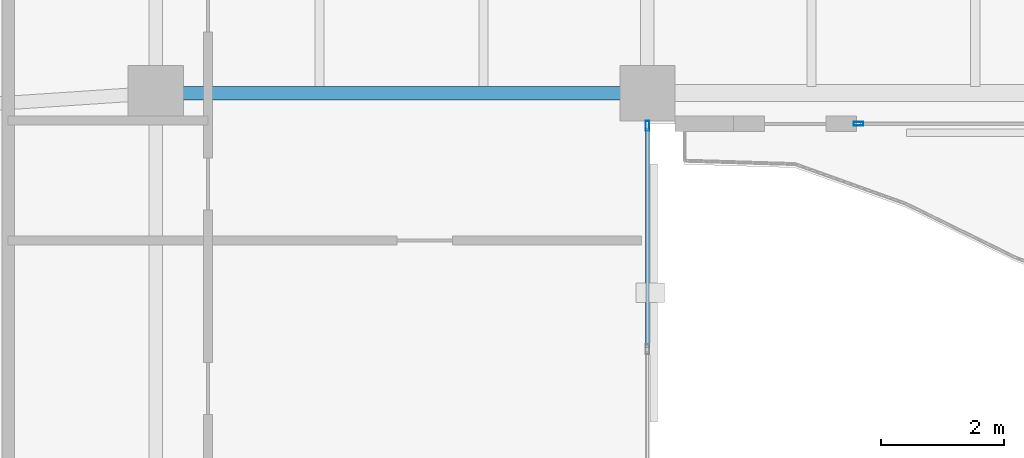
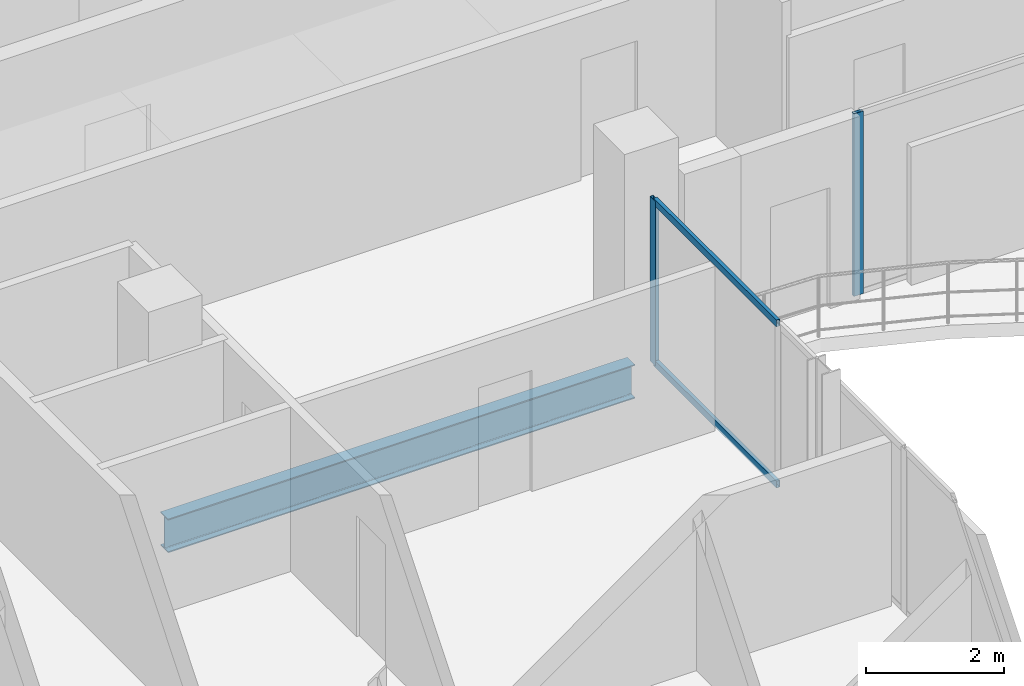
# One storey, part 8 of 22: 4 members, 1 beam, 2 elements without a shape of their own.
"""IFC4 building model written with IfcOpenShell, lengths in metres."""

import ifcopenshell
import ifcopenshell.guid

model = None  # the IFC model being written
_history = None  # IfcOwnerHistory: only IFC2X3 demands one
_inside = {}  # id of a spatial element -> (the spatial element, [elements in it])
_under = {}  # id of a project, library or spatial element -> (it, [spatial elements below it])
_declared = {}  # id of a project -> (the project, [libraries it declares])
_typed = {}  # id of a type object -> (the type object, [elements of that type])
_made_of = {}  # id of a material, layer set ... -> (it, [elements and type objects made of it])


def new_model(schema):
    """Start an empty IFC model of exactly this schema.

    Asked for "IFC4X3", IfcOpenShell would pick the latest addendum, in which some entities
    have other attributes; the version numbers below select the first issue.
    IFC2X3 requires an IfcOwnerHistory on every rooted entity: one is made here for all.
    """
    global model, _history
    if schema == "IFC4X3":
        model = ifcopenshell.file(schema_version=(4, 3, 0, 0))
    else:
        model = ifcopenshell.file(schema=schema)
    _inside.clear()
    _under.clear()
    _declared.clear()
    _typed.clear()
    _made_of.clear()
    _history = None
    if model.schema == "IFC2X3":
        org = make("IfcOrganization", Name="unknown")
        user = make(
            "IfcPersonAndOrganization",
            ThePerson=make("IfcPerson", FamilyName="unknown"),
            TheOrganization=org,
        )
        app = make(
            "IfcApplication",
            ApplicationDeveloper=org,
            Version="unknown",
            ApplicationFullName="unknown",
            ApplicationIdentifier="unknown",
        )
        _history = make(
            "IfcOwnerHistory",
            OwningUser=user,
            OwningApplication=app,
            ChangeAction="ADDED",
            CreationDate=0,
        )
    return model


def make(cls, **values):
    """One entity of the class cls with the attributes given. An attribute that is None is left unset."""
    return model.create_entity(
        cls, **{name: value for name, value in values.items() if value is not None}
    )


def rooted(cls, **values):
    """An entity with a GlobalId (a new one), such as an element, a storey or a relation."""
    return make(cls, GlobalId=ifcopenshell.guid.new(), OwnerHistory=_history, **values)


def si_unit(unit_type, name, prefix=None):
    """IfcSIUnit, for example si_unit("LENGTHUNIT", "METRE", prefix="MILLI")."""
    return make("IfcSIUnit", UnitType=unit_type, Prefix=prefix, Name=name)


def assignment(units):
    """IfcUnitAssignment: the units of a project."""
    return None if units is None else make("IfcUnitAssignment", Units=units)


def point(xyz):
    """IfcCartesianPoint."""
    return None if xyz is None else make("IfcCartesianPoint", Coordinates=xyz)


def direction(xyz):
    """IfcDirection."""
    return None if xyz is None else make("IfcDirection", DirectionRatios=xyz)


def frame(location, z_axis=None, x_axis=None):
    """IfcAxis2Placement3D, a coordinate frame: its origin and axes. An axis left out is left unset."""
    return make(
        "IfcAxis2Placement3D",
        Location=point(location),
        Axis=direction(z_axis),
        RefDirection=direction(x_axis),
    )


def frame_2d(location, x_axis=None):
    """IfcAxis2Placement2D, a coordinate frame in the plane: its origin and x axis."""
    return make(
        "IfcAxis2Placement2D", Location=point(location), RefDirection=direction(x_axis)
    )


def origin():
    """The frame at (0, 0, 0) with its axes left unset."""
    return frame((0.0, 0.0, 0.0))


def origin_2d():
    """The frame at (0, 0) in the plane with its x axis left unset."""
    return frame_2d((0.0, 0.0))


def place(relative_to, where):
    """IfcLocalPlacement: puts the frame where relative to a parent placement (None: the world)."""
    return make(
        "IfcLocalPlacement", PlacementRelTo=relative_to, RelativePlacement=where
    )


def context(
    kind, dimensions, precision=None, world=None, true_north=None, identifier=None
):
    """IfcGeometricRepresentationContext, for example the 3D "Model" context."""
    return make(
        "IfcGeometricRepresentationContext",
        ContextIdentifier=identifier,
        ContextType=kind,
        CoordinateSpaceDimension=dimensions,
        Precision=precision,
        WorldCoordinateSystem=world,
        TrueNorth=true_north,
    )


def subcontext(parent, identifier, kind, view, scale=None):
    """IfcGeometricRepresentationSubContext, for example "Body" below "Model"."""
    return make(
        "IfcGeometricRepresentationSubContext",
        ContextIdentifier=identifier,
        ContextType=kind,
        ParentContext=parent,
        TargetScale=scale,
        TargetView=view,
    )


def project(units=None, contexts=None):
    """IfcProject with its units and contexts."""
    return rooted(
        "IfcProject",
        Name="project",
        RepresentationContexts=contexts,
        UnitsInContext=assignment(units),
    )


def spatial(cls, under=None, at=None, **own):
    """A site, building, storey or space (cls), placed at a placement, below another one or the project."""
    s = rooted(cls, ObjectPlacement=at, **own)
    if under is not None:
        _under.setdefault(under.id(), (under, []))[1].append(s)
    return s


def profile(cls, at=None, kind="AREA", **sizes):
    """A parametric profile (cls). Its sizes go by their IFC names, for example OverallWidth=200.0."""
    return make(cls, ProfileType=kind, Position=at, **sizes)


def hollow_rectangle(**sizes):
    """IfcRectangleHollowProfileDef."""
    return profile("IfcRectangleHollowProfileDef", **sizes)


def i_section(**sizes):
    """IfcIShapeProfileDef."""
    return profile("IfcIShapeProfileDef", **sizes)


def extrude(swept, where, along, depth):
    """IfcExtrudedAreaSolid: the profile swept, set in the frame where, extruded along a direction by depth."""
    return make(
        "IfcExtrudedAreaSolid",
        SweptArea=swept,
        Position=where,
        ExtrudedDirection=direction(along),
        Depth=depth,
    )


def shape(context_of_items, identifier, shape_type, items):
    """IfcShapeRepresentation: the items that make up one representation, for example the "Body"."""
    return make(
        "IfcShapeRepresentation",
        ContextOfItems=context_of_items,
        RepresentationIdentifier=identifier,
        RepresentationType=shape_type,
        Items=items,
    )


def material(Name=None, Category=None):
    """IfcMaterial."""
    return make("IfcMaterial", Name=Name, Category=Category)


def layer(
    of_material, thickness, ventilated=None, Name=None, Category=None, Priority=None
):
    """IfcMaterialLayer: one layer of a wall or slab, of a material (None: an air gap)."""
    return make(
        "IfcMaterialLayer",
        Material=of_material,
        LayerThickness=thickness,
        IsVentilated=ventilated,
        Name=Name,
        Category=Category,
        Priority=Priority,
    )


def layer_set(layers, Name=None):
    """IfcMaterialLayerSet."""
    return make("IfcMaterialLayerSet", MaterialLayers=layers, LayerSetName=Name)


def material_profile(
    of_material, cross_section, Name=None, Category=None, Priority=None
):
    """IfcMaterialProfile: a cross section and its material."""
    return make(
        "IfcMaterialProfile",
        Name=Name,
        Material=of_material,
        Profile=cross_section,
        Priority=Priority,
        Category=Category,
    )


def profile_set(profiles, Name=None, composite=None):
    """IfcMaterialProfileSet."""
    return make(
        "IfcMaterialProfileSet",
        Name=Name,
        MaterialProfiles=profiles,
        CompositeProfile=composite,
    )


def made_of(thing, what):
    """Note that an element or type object is made of a material, layer set ...; save() writes the relation."""
    if what is not None:
        _made_of.setdefault(what.id(), (what, []))[1].append(thing)
    return thing


def type_object(cls, material=None, **own):
    """A type object (cls), such as IfcWallType, which elements share."""
    return made_of(rooted(cls, **own), material)


def element(
    cls,
    number,
    at=None,
    inside=None,
    cuts=None,
    type_object=None,
    material=None,
    context=None,
    identifier="Body",
    shape_type=None,
    held_by="IfcProductDefinitionShape",
    body=None,
    shapes=None,
    **own,
):
    """One element of the class cls, such as IfcWall. Its Tag is "e" and its number.

    at: its placement. inside: the storey or other place that contains it. cuts: it is an
    opening in that element (IfcRelVoidsElement). A single representation is given by context,
    identifier, shape_type and body (its items); several are given by shapes. held_by: the class
    of the entity that holds the representations. save() writes the other relations.
    """
    e = rooted(cls, Tag="e%d" % number, ObjectPlacement=at, **own)
    if body is not None:
        shapes = [shape(context, identifier, shape_type, body)]
    if shapes is not None:
        e.Representation = make(held_by, Representations=shapes)
    if inside is not None:
        _inside.setdefault(inside.id(), (inside, []))[1].append(e)
    if cuts is not None:
        rooted(
            "IfcRelVoidsElement", RelatingBuildingElement=cuts, RelatedOpeningElement=e
        )
    if type_object is not None:
        _typed.setdefault(type_object.id(), (type_object, []))[1].append(e)
    return made_of(e, material)


def aggregate(whole, parts):
    """IfcRelAggregates: a whole, such as a stair, and the parts it consists of."""
    return rooted("IfcRelAggregates", RelatingObject=whole, RelatedObjects=parts)


def save(model, path):
    """Write the relations noted so far, then the file.

    IfcRelAggregates (storeys below a building ...), IfcRelContainedInSpatialStructure (elements
    in a storey), IfcRelDefinesByType, IfcRelAssociatesMaterial and IfcRelDeclares: one each for
    every whole, place, type object, material and project.
    """
    for whole, parts in _under.values():
        aggregate(whole, parts)
    for where, things in _inside.values():
        rooted(
            "IfcRelContainedInSpatialStructure",
            RelatedElements=things,
            RelatingStructure=where,
        )
    for kind, things in _typed.values():
        rooted("IfcRelDefinesByType", RelatedObjects=things, RelatingType=kind)
    for what, things in _made_of.values():
        rooted("IfcRelAssociatesMaterial", RelatedObjects=things, RelatingMaterial=what)
    for by, libraries in _declared.values():
        rooted("IfcRelDeclares", RelatingContext=by, RelatedDefinitions=libraries)
    model.write(path)


model = new_model("IFC4")

# Units and contexts
model_context = context("Model", 3, precision=1e-05, world=origin(), true_north=direction((0.0, 1.0)))
body_context = subcontext(model_context, "Body", "Model", "MODEL_VIEW")
ifc_project = project(units=[si_unit("LENGTHUNIT", "METRE"), si_unit("AREAUNIT", "SQUARE_METRE"), si_unit("VOLUMEUNIT", "CUBIC_METRE"), si_unit("PLANEANGLEUNIT", "RADIAN"), si_unit("MASSUNIT", "GRAM", prefix="KILO")], contexts=[model_context])

# Site, building, storey
site_placement = place(None, origin())
site = spatial("IfcSite", under=ifc_project, at=site_placement, CompositionType="ELEMENT")
building_placement = place(site_placement, origin())
building = spatial("IfcBuilding", under=site, at=building_placement, Name="Catumbela Crestline Tower", CompositionType="ELEMENT")
storey_placement = place(building_placement, frame((0.0, 0.0, 226.0)))
storey = spatial("IfcBuildingStorey", under=building, at=storey_placement, Name="L58", CompositionType="ELEMENT", Elevation=226.0)

# Beam
ifc_material_1 = material(Name="Structural steel S355J2", Category="steel")
ifc_material_profile_1 = material_profile(ifc_material_1, i_section(OverallWidth=0.22, OverallDepth=0.6, WebThickness=0.012, FlangeThickness=0.019, FilletRadius=0.024, at=origin_2d()), Name="IPE 600")
ifc_profile_set_1 = profile_set([ifc_material_profile_1], Name="Structural steel S355J2")
beam_type = type_object("IfcBeamType", Name="BG-IPE600", PredefinedType="BEAM", material=ifc_profile_set_1)
beam_placement = place(storey_placement, frame((16.08, 24.5, -0.56), z_axis=(1.0, 0.0, 0.0), x_axis=(0.0, 1.0, 0.0)))
element("IfcBeam", 1, at=beam_placement, inside=storey, type_object=beam_type, Name="L58 Beam BM-L58-S03", PredefinedType="BEAM", context=body_context, shape_type="SweptSolid", body=[
    extrude(i_section(OverallWidth=0.22, OverallDepth=0.6, WebThickness=0.012, FlangeThickness=0.019, FilletRadius=0.024, at=origin_2d()), origin(), (0.0, 0.0, 1.0), 7.84),
])

# Curtain wall, member
ifc_material_2 = material(Name="Aluminium alloy AW-6060-T66", Category="aluminium")
ifc_layer = layer(ifc_material_2, 0.18, Name="Aluminium alloy AW-6060-T66")
ifc_layer_set = layer_set([ifc_layer], Name="Aluminium alloy AW-6060-T66")
curtain_wall_type = type_object("IfcCurtainWallType", Name="CWU-Z4", PredefinedType="USERDEFINED", material=ifc_layer_set)
curtain_wall_1_placement = place(storey_placement, origin())
curtain_wall_1 = element("IfcCurtainWall", 2, at=curtain_wall_1_placement, inside=storey, type_object=curtain_wall_type, Name="L58 Unitised Curtain Wall CW-L58-E2S1", ObjectType="UNITISED", PredefinedType="USERDEFINED")
ifc_material_profile_2 = material_profile(ifc_material_2, hollow_rectangle(XDim=0.06, YDim=0.16, WallThickness=0.004, at=origin_2d()), Name="ALU 160x60x4")
ifc_profile_set_2 = profile_set([ifc_material_profile_2], Name="Aluminium alloy AW-6060-T66")
member_type_1 = type_object("IfcMemberType", Name="MUL-160X60", PredefinedType="MULLION", material=ifc_profile_set_2)
member_1_placement = place(storey_placement, frame((24.0, 23.9675, 0.0), z_axis=(0.0, 0.0, 1.0), x_axis=(-1.0, 0.0, 0.0)))
member_1 = element("IfcMember", 3, at=member_1_placement, type_object=member_type_1, Name="CWU-Z4 mullion 4", PredefinedType="MULLION", context=body_context, shape_type="SweptSolid", body=[
    extrude(hollow_rectangle(XDim=0.06, YDim=0.16, WallThickness=0.004, at=origin_2d()), origin(), (0.0, 0.0, 1.0), 2.92),
])

curtain_wall_2_placement = place(storey_placement, origin())
curtain_wall_2 = element("IfcCurtainWall", 4, at=curtain_wall_2_placement, inside=storey, type_object=curtain_wall_type, Name="L58 Unitised Curtain Wall CW-L58-E3S2", ObjectType="UNITISED", PredefinedType="USERDEFINED")
member_2_placement = place(storey_placement, frame((27.4325, 24.0, 0.0), z_axis=(0.0, 0.0, 1.0), x_axis=(0.0, 1.0, 0.0)))
member_2 = element("IfcMember", 5, at=member_2_placement, type_object=member_type_1, Name="CWU-Z4 mullion 1", PredefinedType="MULLION", context=body_context, shape_type="SweptSolid", body=[
    extrude(hollow_rectangle(XDim=0.06, YDim=0.16, WallThickness=0.004, at=origin_2d()), origin(), (0.0, 0.0, 1.0), 3.24),
])
aggregate(curtain_wall_2, [member_2])

# Member
ifc_material_profile_3 = material_profile(ifc_material_2, hollow_rectangle(XDim=0.06, YDim=0.12, WallThickness=0.0035, at=origin_2d()), Name="ALU 120x60x3.5")
ifc_profile_set_3 = profile_set([ifc_material_profile_3], Name="Aluminium alloy AW-6060-T66")
member_type_2 = type_object("IfcMemberType", Name="TRN-120X60", PredefinedType="USERDEFINED", material=ifc_profile_set_3)
member_3_placement = place(storey_placement, frame((24.0, 20.3658, 0.03), z_axis=(0.0, 1.0, 0.0), x_axis=(-1.0, 0.0, 0.0)))
member_3 = element("IfcMember", 6, at=member_3_placement, type_object=member_type_2, Name="CWU-Z4 transom 3.1", ObjectType="TRANSOM", PredefinedType="USERDEFINED", context=body_context, shape_type="SweptSolid", body=[
    extrude(hollow_rectangle(XDim=0.06, YDim=0.12, WallThickness=0.0035, at=origin_2d()), origin(), (0.0, 0.0, 1.0), 3.5692),
])

member_4_placement = place(storey_placement, frame((24.0, 20.3658, 2.89), z_axis=(0.0, 1.0, 0.0), x_axis=(-1.0, 0.0, 0.0)))
member_4 = element("IfcMember", 7, at=member_4_placement, type_object=member_type_2, Name="CWU-Z4 transom 3.2", ObjectType="TRANSOM", PredefinedType="USERDEFINED", context=body_context, shape_type="SweptSolid", body=[
    extrude(hollow_rectangle(XDim=0.06, YDim=0.12, WallThickness=0.0035, at=origin_2d()), origin(), (0.0, 0.0, 1.0), 3.5692),
])

aggregate(curtain_wall_1, [member_1, member_3, member_4])

save(model, "model.ifc")
